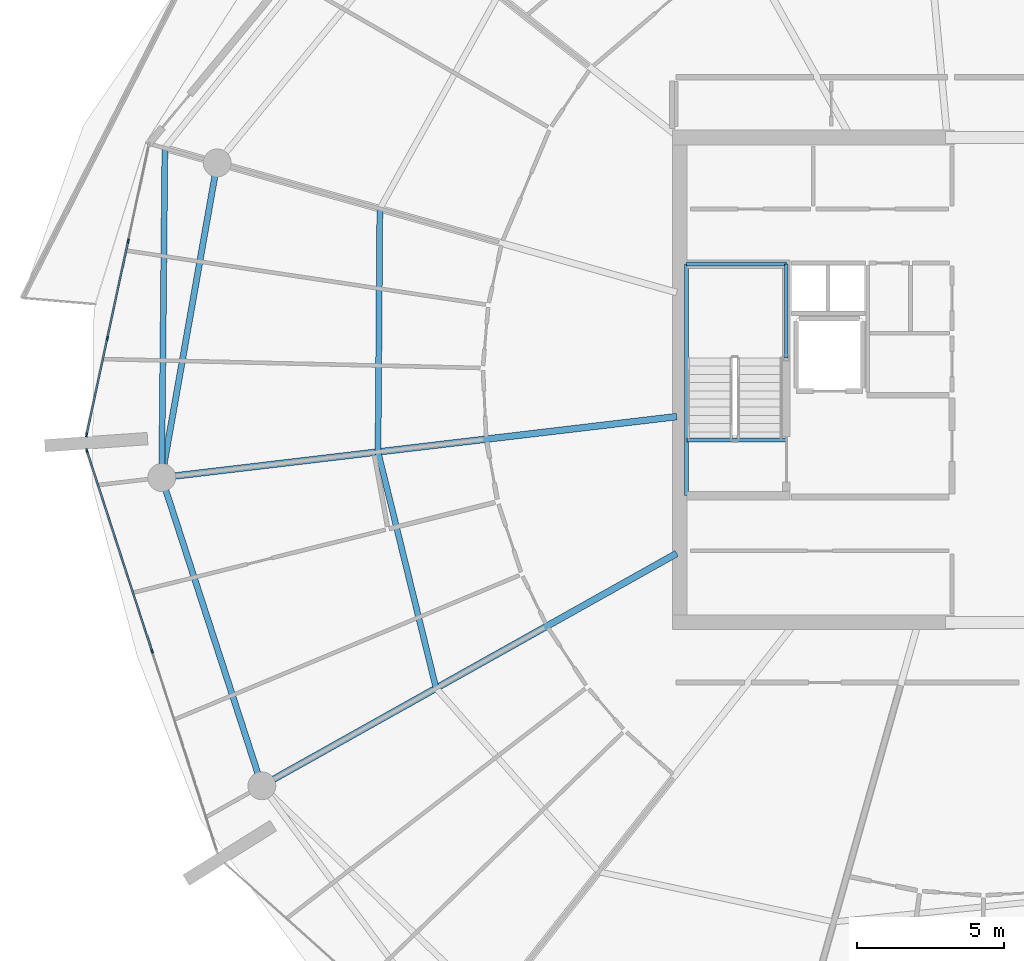
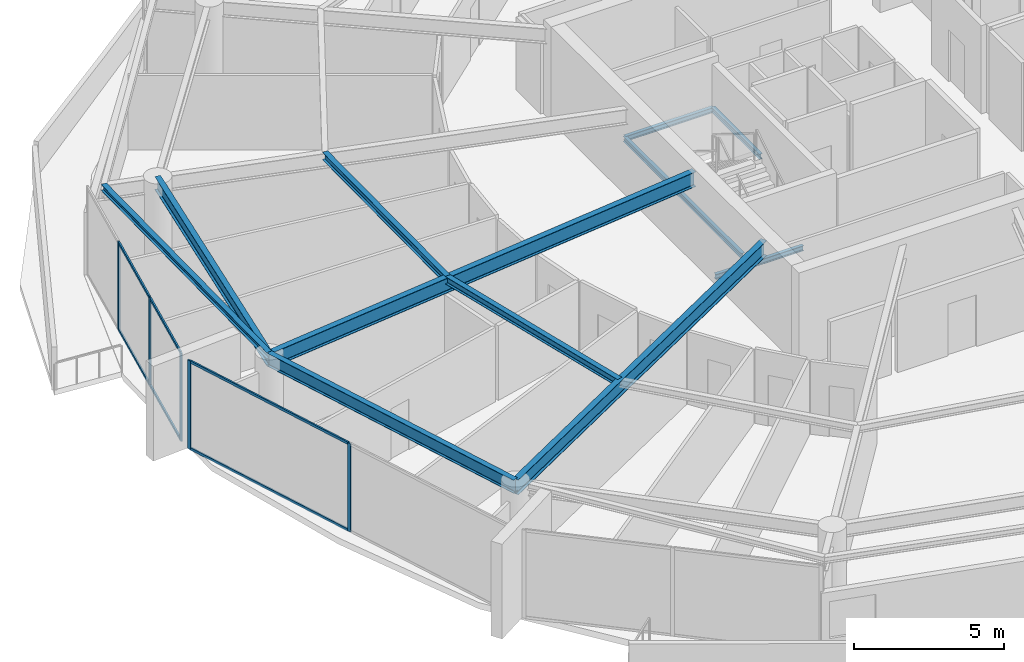
# One storey, part 7 of 29: 11 beams, 11 members, 2 elements without a shape of their own.
"""IFC4 building model written with IfcOpenShell, lengths in metres."""

from ifc_helpers import new_model, si_unit, direction, frame, origin, origin_2d, place, context, subcontext, project, spatial, rectangle, i_section, extrude, material, layer, layer_set, material_profile, profile_set, type_object, element, aggregate, save


model = new_model("IFC4")

# Units and contexts
model_context = context("Model", 3, precision=1e-05, world=origin(), true_north=direction((0.0, 1.0)))
body_context = subcontext(model_context, "Body", "Model", "MODEL_VIEW")
ifc_project = project(units=[si_unit("LENGTHUNIT", "METRE"), si_unit("AREAUNIT", "SQUARE_METRE"), si_unit("VOLUMEUNIT", "CUBIC_METRE"), si_unit("PLANEANGLEUNIT", "RADIAN"), si_unit("MASSUNIT", "GRAM", prefix="KILO")], contexts=[model_context])

# Site, building, storey
site_placement = place(None, origin())
site = spatial("IfcSite", under=ifc_project, at=site_placement, CompositionType="ELEMENT")
building_placement = place(site_placement, origin())
building = spatial("IfcBuilding", under=site, at=building_placement, Name="Kazma Halo Residences", CompositionType="ELEMENT")
storey_placement = place(building_placement, frame((0.0, 0.0, 286.75)))
storey = spatial("IfcBuildingStorey", under=building, at=storey_placement, Name="L72", CompositionType="ELEMENT", Elevation=286.75)

# Beams
ifc_material_1 = material(Name="Steel S355", Category="steel")
ifc_material_profile_1 = material_profile(ifc_material_1, i_section(OverallWidth=0.201904296875, OverallDepth=0.2470703125, WebThickness=0.00732421875, FlangeThickness=0.010986328125, FilletRadius=0.011962890625, at=origin_2d()), Name="W250x49.1")
ifc_profile_set_1 = profile_set([ifc_material_profile_1], Name="Steel S355")
beam_type_1 = type_object("IfcBeamType", Name="BM-BAL-CANT", PredefinedType="BEAM", material=ifc_profile_set_1)
beam_1_placement = place(storey_placement, frame((20.028564453125, 49.888916015625, 3.466552734375), z_axis=(-0.009645503464, -0.999953481049, 0.0), x_axis=(0.999953481049, -0.009645503464, 0.0)))
element("IfcBeam", 1, at=beam_1_placement, inside=storey, type_object=beam_type_1, Name="L72 wave-balcony tie beam 07", PredefinedType="BEAM", context=body_context, shape_type="SweptSolid", body=[
    extrude(i_section(OverallWidth=0.201904296875, OverallDepth=0.2470703125, WebThickness=0.00732421875, FlangeThickness=0.010986328125, FilletRadius=0.011962890625, at=origin_2d()), origin(), (0.0, 0.0, 1.0), 11.212890625),
])
ifc_material_profile_2 = material_profile(ifc_material_1, i_section(OverallWidth=0.22802734375, OverallDepth=0.60791015625, WebThickness=0.01123046875, FlangeThickness=0.017333984375, FilletRadius=0.01806640625, at=origin_2d()), Name="W610x113")
ifc_profile_set_2 = profile_set([ifc_material_profile_2], Name="Steel S355")
beam_type_2 = type_object("IfcBeamType", Name="BM-RAD-W610", PredefinedType="BEAM", material=ifc_profile_set_2)
beam_2_placement = place(storey_placement, frame((37.449951171875, 40.751220703125, 3.285888671875), z_axis=(-0.993068793341, -0.11753455531, 0.0), x_axis=(0.11753455531, -0.993068793341, 0.0)))
element("IfcBeam", 2, at=beam_2_placement, inside=storey, type_object=beam_type_2, Name="L72 radial floor beam 08", PredefinedType="BEAM", context=body_context, shape_type="SweptSolid", body=[
    extrude(i_section(OverallWidth=0.22802734375, OverallDepth=0.60791015625, WebThickness=0.01123046875, FlangeThickness=0.017333984375, FilletRadius=0.01806640625, at=origin_2d()), origin(), (0.0, 0.0, 1.0), 17.65185546875),
])
beam_3_placement = place(storey_placement, frame((37.449951171875, 36.091796875, 3.285888671875), z_axis=(-0.872497784052, -0.488618068459, 0.0), x_axis=(0.488618068459, -0.872497784052, 0.0)))
element("IfcBeam", 3, at=beam_3_placement, inside=storey, type_object=beam_type_2, Name="L72 radial floor beam 09", PredefinedType="BEAM", context=body_context, shape_type="SweptSolid", body=[
    extrude(i_section(OverallWidth=0.22802734375, OverallDepth=0.60791015625, WebThickness=0.01123046875, FlangeThickness=0.017333984375, FilletRadius=0.01806640625, at=origin_2d()), origin(), (0.0, 0.0, 1.0), 16.183837890625),
])
ifc_material_profile_3 = material_profile(ifc_material_1, i_section(OverallWidth=0.202880859375, OverallDepth=0.302978515625, WebThickness=0.007568359375, FlangeThickness=0.01318359375, FilletRadius=0.013916015625, at=origin_2d()), Name="W310x60")
ifc_profile_set_3 = profile_set([ifc_material_profile_3], Name="Steel S355")
beam_type_3 = type_object("IfcBeamType", Name="BM-SEC-W310A", PredefinedType="JOIST", material=ifc_profile_set_3)
beam_4_placement = place(storey_placement, frame((27.345458984375, 47.8251953125, 3.4384765625), z_axis=(-0.007550738936, -0.999971492764, 0.0), x_axis=(0.999971492764, -0.007550738936, 0.0)))
element("IfcBeam", 4, at=beam_4_placement, inside=storey, type_object=beam_type_3, Name="L72 circumferential floor joist 07", PredefinedType="JOIST", context=body_context, shape_type="SweptSolid", body=[
    extrude(i_section(OverallWidth=0.202880859375, OverallDepth=0.302978515625, WebThickness=0.007568359375, FlangeThickness=0.01318359375, FilletRadius=0.013916015625, at=origin_2d()), origin(), (0.0, 0.0, 1.0), 8.27734375),
])
beam_5_placement = place(storey_placement, frame((27.282958984375, 39.548095703125, 3.4384765625), z_axis=(0.238732984375, -0.971085249693, 0.0), x_axis=(0.971085249693, 0.238732984375, 0.0)))
element("IfcBeam", 5, at=beam_5_placement, inside=storey, type_object=beam_type_3, Name="L72 circumferential floor joist 08", PredefinedType="JOIST", context=body_context, shape_type="SweptSolid", body=[
    extrude(i_section(OverallWidth=0.202880859375, OverallDepth=0.302978515625, WebThickness=0.007568359375, FlangeThickness=0.01318359375, FilletRadius=0.013916015625, at=origin_2d()), origin(), (0.0, 0.0, 1.0), 8.282470703125),
])
ifc_material_profile_4 = material_profile(ifc_material_1, i_section(OverallWidth=0.208984375, OverallDepth=0.532958984375, WebThickness=0.01025390625, FlangeThickness=0.015625, FilletRadius=0.01611328125, at=origin_2d()), Name="W530x92")
ifc_profile_set_4 = profile_set([ifc_material_profile_4], Name="Steel S355")
beam_type_4 = type_object("IfcBeamType", Name="BM-SPN-W530", PredefinedType="BEAM", material=ifc_profile_set_4)
beam_6_placement = place(storey_placement, frame((21.80908203125, 49.38671875, 3.323486328125), z_axis=(-0.173663672311, -0.984805020763, 0.0), x_axis=(0.984805020763, -0.173663672311, 0.0)))
element("IfcBeam", 6, at=beam_6_placement, inside=storey, type_object=beam_type_4, Name="L72 perimeter ring beam 07", PredefinedType="BEAM", context=body_context, shape_type="SweptSolid", body=[
    extrude(i_section(OverallWidth=0.208984375, OverallDepth=0.532958984375, WebThickness=0.01025390625, FlangeThickness=0.015625, FilletRadius=0.01611328125, at=origin_2d()), origin(), (0.0, 0.0, 1.0), 10.87548828125),
])
beam_7_placement = place(storey_placement, frame((19.92041015625, 38.676513671875, 3.323486328125), z_axis=(0.309015517474, -0.951056996168, 0.0), x_axis=(0.951056996168, 0.309015517474, 0.0)))
element("IfcBeam", 7, at=beam_7_placement, inside=storey, type_object=beam_type_4, Name="L72 perimeter ring beam 08", PredefinedType="BEAM", context=body_context, shape_type="SweptSolid", body=[
    extrude(i_section(OverallWidth=0.208984375, OverallDepth=0.532958984375, WebThickness=0.01025390625, FlangeThickness=0.015625, FilletRadius=0.01611328125, at=origin_2d()), origin(), (0.0, 0.0, 1.0), 11.032470703125),
])
ifc_material_profile_5 = material_profile(ifc_material_1, i_section(OverallWidth=0.133056640625, OverallDepth=0.20703125, WebThickness=0.005859375, FlangeThickness=0.00830078125, FilletRadius=0.010009765625, at=origin_2d()), Name="W200x26.6")
ifc_profile_set_5 = profile_set([ifc_material_profile_5], Name="Steel S355")
beam_type_5 = type_object("IfcBeamType", Name="BM-TRIM-W200", PredefinedType="BEAM", material=ifc_profile_set_5)
beam_8_placement = place(storey_placement, frame((37.800048828125, 39.949951171875, -0.3701171875), z_axis=(1.0, 0.0, 0.0), x_axis=(0.0, 1.0, 0.0)))
element("IfcBeam", 8, at=beam_8_placement, inside=storey, type_object=beam_type_5, Name="L72 ST-01 floor landing support beam", PredefinedType="BEAM", context=body_context, shape_type="SweptSolid", body=[
    extrude(i_section(OverallWidth=0.133056640625, OverallDepth=0.20703125, WebThickness=0.005859375, FlangeThickness=0.00830078125, FilletRadius=0.010009765625, at=origin_2d()), origin(), (0.0, 0.0, 1.0), 3.3798828125),
])
beam_9_placement = place(storey_placement, frame((37.780029296875, 38.06005859375, 1.6201171875), z_axis=(0.0, 1.0, 0.0), x_axis=(-1.0, 0.0, 0.0)))
element("IfcBeam", 9, at=beam_9_placement, inside=storey, type_object=beam_type_5, Name="L72 ST-01 landing west wall ledger", PredefinedType="BEAM", context=body_context, shape_type="SweptSolid", body=[
    extrude(i_section(OverallWidth=0.133056640625, OverallDepth=0.20703125, WebThickness=0.005859375, FlangeThickness=0.00830078125, FilletRadius=0.010009765625, at=origin_2d()), origin(), (0.0, 0.0, 1.0), 7.8798828125),
])
beam_10_placement = place(storey_placement, frame((41.179931640625, 42.75, 1.6201171875), z_axis=(0.0, 1.0, 0.0), x_axis=(-1.0, 0.0, 0.0)))
element("IfcBeam", 10, at=beam_10_placement, inside=storey, type_object=beam_type_5, Name="L72 ST-01 landing east wall ledger", PredefinedType="BEAM", context=body_context, shape_type="SweptSolid", body=[
    extrude(i_section(OverallWidth=0.133056640625, OverallDepth=0.20703125, WebThickness=0.005859375, FlangeThickness=0.00830078125, FilletRadius=0.010009765625, at=origin_2d()), origin(), (0.0, 0.0, 1.0), 3.18994140625),
])
beam_11_placement = place(storey_placement, frame((37.780029296875, 45.93994140625, 1.6201171875), z_axis=(1.0, 0.0, 0.0), x_axis=(0.0, 1.0, 0.0)))
element("IfcBeam", 11, at=beam_11_placement, inside=storey, type_object=beam_type_5, Name="L72 ST-01 landing end wall ledger", PredefinedType="BEAM", context=body_context, shape_type="SweptSolid", body=[
    extrude(i_section(OverallWidth=0.133056640625, OverallDepth=0.20703125, WebThickness=0.005859375, FlangeThickness=0.00830078125, FilletRadius=0.010009765625, at=origin_2d()), origin(), (0.0, 0.0, 1.0), 3.39990234375),
])

# Curtain wall, members
ifc_material_2 = material(Name="Aluminium AW-6063 T6 and Triple-Silver Low-E Glass", Category="aluminium")
ifc_layer = layer(ifc_material_2, 0.139892578125)
ifc_layer_set = layer_set([ifc_layer], Name="Aluminium AW-6063 T6 and Triple-Silver Low-E Glass")
curtain_wall_type = type_object("IfcCurtainWallType", Name="CW-SYS-5", PredefinedType="NOTDEFINED", material=ifc_layer_set)
curtain_wall_1_placement = place(storey_placement, origin())
curtain_wall_1 = element("IfcCurtainWall", 12, at=curtain_wall_1_placement, inside=storey, type_object=curtain_wall_type, Name="L72 unitised curtain wall B07", PredefinedType="NOTDEFINED")
ifc_material_3 = material(Name="Aluminium AW-6063 T6", Category="aluminium")
ifc_material_profile_6 = material_profile(ifc_material_3, rectangle(XDim=0.06005859375, YDim=0.139892578125, at=origin_2d()), Name="CWM-60x140")
ifc_profile_set_6 = profile_set([ifc_material_profile_6], Name="Aluminium AW-6063 T6")
member_type_1 = type_object("IfcMemberType", Name="CW-SYS-5-MUL", PredefinedType="MULLION", material=ifc_profile_set_6)
member_1_placement = place(storey_placement, frame((18.781005859375, 46.7265625, 0.0), z_axis=(0.0, 0.0, 1.0), x_axis=(0.97777491373, -0.209657382603, 0.0)))
member_1 = element("IfcMember", 13, at=member_1_placement, type_object=member_type_1, Name="CWS-5 mullion 2", PredefinedType="MULLION", context=body_context, shape_type="SweptSolid", body=[
    extrude(rectangle(XDim=0.06005859375, YDim=0.139892578125, at=origin_2d()), origin(), (0.0, 0.0, 1.0), 3.590087890625),
])
member_2_placement = place(storey_placement, frame((18.0703125, 43.412841796875, 0.0), z_axis=(0.0, 0.0, 1.0), x_axis=(0.97777491373, -0.209657382603, 0.0)))
member_2 = element("IfcMember", 14, at=member_2_placement, type_object=member_type_1, Name="CWS-5 mullion 3", PredefinedType="MULLION", context=body_context, shape_type="SweptSolid", body=[
    extrude(rectangle(XDim=0.06005859375, YDim=0.139892578125, at=origin_2d()), origin(), (0.0, 0.0, 1.0), 3.590087890625),
])
member_3_placement = place(storey_placement, frame((17.3662109375, 40.12841796875, 0.0), z_axis=(0.0, 0.0, 1.0), x_axis=(0.97777491373, -0.209657382603, 0.0)))
member_3 = element("IfcMember", 15, at=member_3_placement, type_object=member_type_1, Name="CWS-5 mullion 4", PredefinedType="MULLION", context=body_context, shape_type="SweptSolid", body=[
    extrude(rectangle(XDim=0.06005859375, YDim=0.139892578125, at=origin_2d()), origin(), (0.0, 0.0, 1.0), 3.590087890625),
])

curtain_wall_2_placement = place(storey_placement, origin())
curtain_wall_2 = element("IfcCurtainWall", 16, at=curtain_wall_2_placement, inside=storey, type_object=curtain_wall_type, Name="L72 unitised curtain wall B08", PredefinedType="NOTDEFINED")
member_4_placement = place(storey_placement, frame((17.377197265625, 39.587646484375, 0.0), z_axis=(0.0, 0.0, 1.0), x_axis=(0.951058464359, 0.309010998786, 0.0)))
member_4 = element("IfcMember", 17, at=member_4_placement, type_object=member_type_1, Name="CWS-5 mullion 1", PredefinedType="MULLION", context=body_context, shape_type="SweptSolid", body=[
    extrude(rectangle(XDim=0.06005859375, YDim=0.139892578125, at=origin_2d()), origin(), (0.0, 0.0, 1.0), 3.590087890625),
])
member_5_placement = place(storey_placement, frame((19.59228515625, 32.769775390625, 0.0), z_axis=(0.0, 0.0, 1.0), x_axis=(0.951058464359, 0.309010998786, 0.0)))
member_5 = element("IfcMember", 18, at=member_5_placement, type_object=member_type_1, Name="CWS-5 mullion 2", PredefinedType="MULLION", context=body_context, shape_type="SweptSolid", body=[
    extrude(rectangle(XDim=0.06005859375, YDim=0.139892578125, at=origin_2d()), origin(), (0.0, 0.0, 1.0), 3.590087890625),
])

# Member
ifc_material_profile_7 = material_profile(ifc_material_3, rectangle(XDim=0.06005859375, YDim=0.10498046875, at=origin_2d()), Name="CWT-60x105")
ifc_profile_set_7 = profile_set([ifc_material_profile_7], Name="Aluminium AW-6063 T6")
member_type_2 = type_object("IfcMemberType", Name="CW-SYS-5-TRN", PredefinedType="USERDEFINED", material=ifc_profile_set_7)
member_6_placement = place(storey_placement, frame((18.774658203125, 46.697265625, 0.030029296875), z_axis=(-0.209664309019, -0.977773428522, 0.0), x_axis=(0.977773428522, -0.209664309019, 0.0)))
member_6 = element("IfcMember", 19, at=member_6_placement, type_object=member_type_2, Name="CWS-5 transom 2.1", ObjectType="TRANSOM", PredefinedType="USERDEFINED", context=body_context, shape_type="SweptSolid", body=[
    extrude(rectangle(XDim=0.06005859375, YDim=0.10498046875, at=origin_2d()), origin(), (0.0, 0.0, 1.0), 3.3291015625),
])

member_7_placement = place(storey_placement, frame((18.774658203125, 46.697265625, 3.56005859375), z_axis=(-0.209664309019, -0.977773428522, 0.0), x_axis=(0.977773428522, -0.209664309019, 0.0)))
member_7 = element("IfcMember", 20, at=member_7_placement, type_object=member_type_2, Name="CWS-5 transom 2.2", ObjectType="TRANSOM", PredefinedType="USERDEFINED", context=body_context, shape_type="SweptSolid", body=[
    extrude(rectangle(XDim=0.06005859375, YDim=0.10498046875, at=origin_2d()), origin(), (0.0, 0.0, 1.0), 3.3291015625),
])

member_8_placement = place(storey_placement, frame((18.064208984375, 43.383544921875, 0.030029296875), z_axis=(-0.209645323239, -0.977777499457, 0.0), x_axis=(0.977777499457, -0.209645323239, 0.0)))
member_8 = element("IfcMember", 21, at=member_8_placement, type_object=member_type_2, Name="CWS-5 transom 3.1", ObjectType="TRANSOM", PredefinedType="USERDEFINED", context=body_context, shape_type="SweptSolid", body=[
    extrude(rectangle(XDim=0.06005859375, YDim=0.10498046875, at=origin_2d()), origin(), (0.0, 0.0, 1.0), 3.299072265625),
])

member_9_placement = place(storey_placement, frame((18.064208984375, 43.383544921875, 3.56005859375), z_axis=(-0.209645323239, -0.977777499457, 0.0), x_axis=(0.977777499457, -0.209645323239, 0.0)))
member_9 = element("IfcMember", 22, at=member_9_placement, type_object=member_type_2, Name="CWS-5 transom 3.2", ObjectType="TRANSOM", PredefinedType="USERDEFINED", context=body_context, shape_type="SweptSolid", body=[
    extrude(rectangle(XDim=0.06005859375, YDim=0.10498046875, at=origin_2d()), origin(), (0.0, 0.0, 1.0), 3.299072265625),
])

aggregate(curtain_wall_1, [member_1, member_2, member_3, member_6, member_7, member_8, member_9])

member_10_placement = place(storey_placement, frame((17.386474609375, 39.55908203125, 0.030029296875), z_axis=(0.308995987448, -0.951063341603, 0.0), x_axis=(0.951063341603, 0.308995987448, 0.0)))
member_10 = element("IfcMember", 23, at=member_10_placement, type_object=member_type_2, Name="CWS-5 transom 1.1", ObjectType="TRANSOM", PredefinedType="USERDEFINED", context=body_context, shape_type="SweptSolid", body=[
    extrude(rectangle(XDim=0.06005859375, YDim=0.10498046875, at=origin_2d()), origin(), (0.0, 0.0, 1.0), 7.108642578125),
])

member_11_placement = place(storey_placement, frame((17.386474609375, 39.55908203125, 3.56005859375), z_axis=(0.308995987448, -0.951063341603, 0.0), x_axis=(0.951063341603, 0.308995987448, 0.0)))
member_11 = element("IfcMember", 24, at=member_11_placement, type_object=member_type_2, Name="CWS-5 transom 1.2", ObjectType="TRANSOM", PredefinedType="USERDEFINED", context=body_context, shape_type="SweptSolid", body=[
    extrude(rectangle(XDim=0.06005859375, YDim=0.10498046875, at=origin_2d()), origin(), (0.0, 0.0, 1.0), 7.108642578125),
])

aggregate(curtain_wall_2, [member_4, member_5, member_10, member_11])

save(model, "model.ifc")
